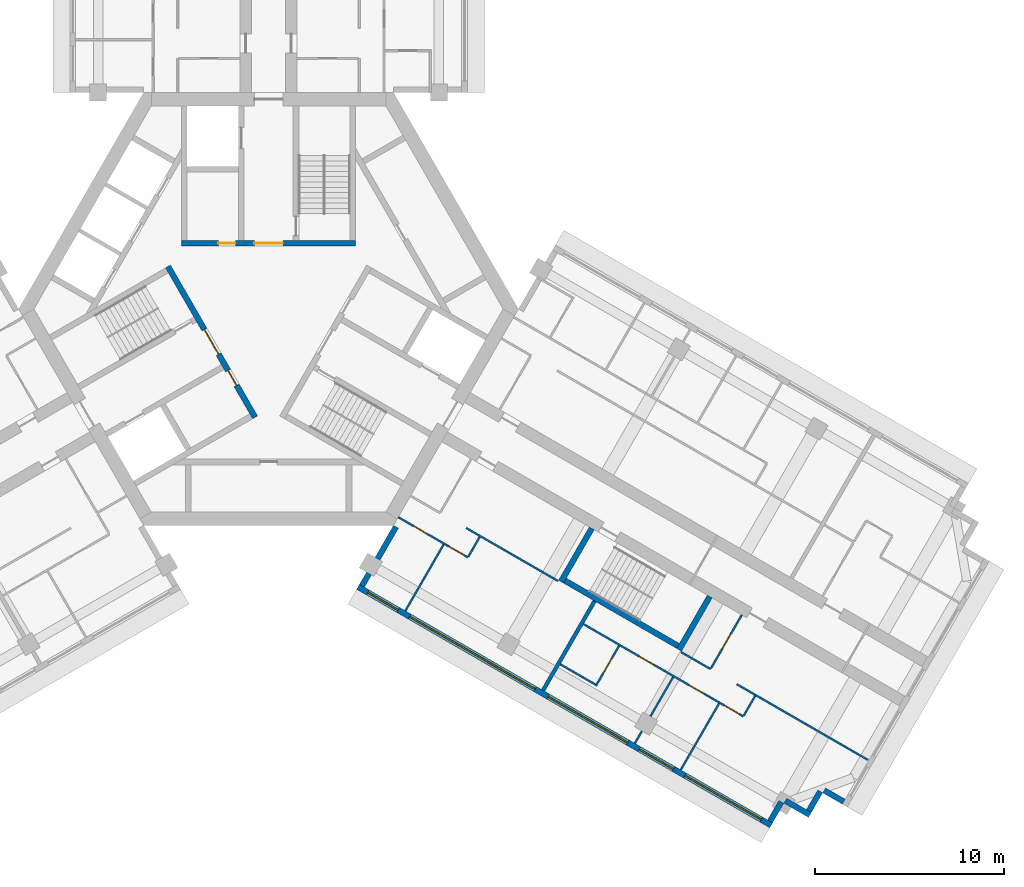
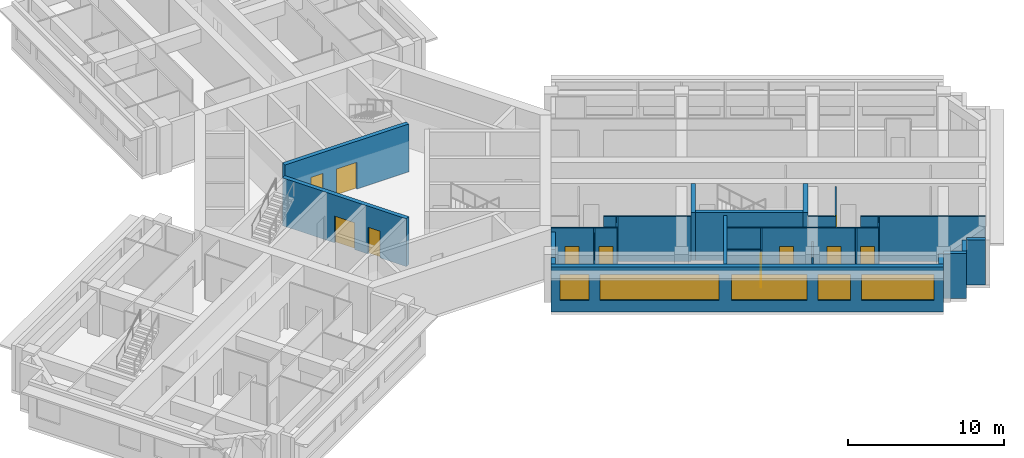
# One storey, part 4 of 10: 27 walls, 11 doors, 5 windows, 16 openings.
"""IFC4 building model written with IfcOpenShell, lengths in metres."""

from ifc_helpers import new_model, si_unit, direction, frame, frame_2d, origin, place, context, subcontext, project, spatial, rectangle, extrude, material, layer, layer_set, type_object, element, fill, save


model = new_model("IFC4")

# Units and contexts
model_context = context("Model", 3, precision=1e-05, world=origin(), true_north=direction((0.0, 1.0)))
body_context = subcontext(model_context, "Body", "Model", "MODEL_VIEW")
ifc_project = project(units=[si_unit("LENGTHUNIT", "METRE"), si_unit("AREAUNIT", "SQUARE_METRE"), si_unit("VOLUMEUNIT", "CUBIC_METRE"), si_unit("PLANEANGLEUNIT", "RADIAN"), si_unit("MASSUNIT", "GRAM", prefix="KILO")], contexts=[model_context])

# Site, building, storey
site_placement = place(None, origin())
site = spatial("IfcSite", under=ifc_project, at=site_placement, CompositionType="ELEMENT")
building_placement = place(site_placement, origin())
building = spatial("IfcBuilding", under=site, at=building_placement, Name="Impinga Residences", CompositionType="ELEMENT")
storey_placement = place(building_placement, frame((0.0, 0.0, 229.75)))
storey = spatial("IfcBuildingStorey", under=building, at=storey_placement, Name="L57", CompositionType="ELEMENT", Elevation=229.75)

# Walls
ifc_material_1 = material(Name="Terracotta rainscreen on blockwork", Category="masonry")
ifc_layer_1 = layer(ifc_material_1, 0.300048828125)
ifc_layer_set_1 = layer_set([ifc_layer_1], Name="EW1 external wall, terracotta rainscreen on blockwork 300")
wall_type_1 = type_object("IfcWallType", Name="EW1 external wall, terracotta rainscreen on blockwork 300", PredefinedType="SOLIDWALL", material=ifc_layer_set_1)
wall_1_placement = place(storey_placement, frame((30.38720703125, -26.031005859375, 0.0), z_axis=(0.0, 0.0, 1.0), x_axis=(-0.866059708757, 0.499940577336, 0.0)))
element("IfcWall", 1, at=wall_1_placement, inside=storey, type_object=wall_type_1, Name="External wall EW1 L57", PredefinedType="SOLIDWALL", context=body_context, shape_type="SweptSolid", body=[
    extrude(rectangle(XDim=1.195068359375, YDim=0.300048828125, at=frame_2d((0.59765625, 0.0))), origin(), (0.0, 0.0, 1.0), 3.530029296875),
])
wall_2_placement = place(storey_placement, frame((29.14306640625, -25.48583984375, 0.0), z_axis=(0.0, 0.0, 1.0), x_axis=(-0.500033551112, -0.866006032174, 0.0)))
element("IfcWall", 2, at=wall_2_placement, inside=storey, type_object=wall_type_1, Name="External wall EW1 L57", PredefinedType="SOLIDWALL", context=body_context, shape_type="SweptSolid", body=[
    extrude(rectangle(XDim=1.2001953125, YDim=0.300048828125, at=frame_2d((0.60009765625, 0.0))), origin(), (0.0, 0.0, 1.0), 3.530029296875),
])
wall_3_placement = place(storey_placement, frame((28.597900390625, -26.72998046875, 0.0), z_axis=(0.0, 0.0, 1.0), x_axis=(-0.866031096941, 0.499990139034, 0.0)))
element("IfcWall", 3, at=wall_3_placement, inside=storey, type_object=wall_type_1, Name="External wall EW1 L57", PredefinedType="SOLIDWALL", context=body_context, shape_type="SweptSolid", body=[
    extrude(rectangle(XDim=1.5, YDim=0.300048828125, at=frame_2d((0.75, 0.0))), origin(), (0.0, 0.0, 1.0), 3.530029296875),
])
wall_4_placement = place(storey_placement, frame((27.091552734375, -26.039306640625, 0.0), z_axis=(0.0, 0.0, 1.0), x_axis=(-0.500093796661, -0.865971243484, 0.0)))
element("IfcWall", 4, at=wall_4_placement, inside=storey, type_object=wall_type_1, Name="External wall EW1 L57", PredefinedType="SOLIDWALL", context=body_context, shape_type="SweptSolid", body=[
    extrude(rectangle(XDim=1.195068359375, YDim=0.300048828125, at=frame_2d((0.59765625, 0.0))), origin(), (0.0, 0.0, 1.0), 3.530029296875),
])

# Wall, openings, windows
wall_5_placement = place(storey_placement, frame((26.548828125, -27.279052734375, 0.0), z_axis=(0.0, 0.0, 1.0), x_axis=(-0.866026832479, 0.499997525421, 0.0)))
wall_5 = element("IfcWall", 5, at=wall_5_placement, inside=storey, type_object=wall_type_1, Name="External wall EW1 L57", PredefinedType="SOLIDWALL", context=body_context, shape_type="SweptSolid", body=[
    extrude(rectangle(XDim=25.199951171875, YDim=0.300048828125, at=frame_2d((12.60009765625, 0.0))), origin(), (0.0, 0.0, 1.0), 3.530029296875),
])
opening_1_placement = place(wall_5_placement, frame((0.60009765625, 0.0, 0.89990234375)))
opening_1 = element("IfcOpeningElement", 6, at=opening_1_placement, cuts=wall_5, Name="Opening W10", PredefinedType="OPENING", context=body_context, shape_type="SweptSolid", body=[
    extrude(rectangle(XDim=4.64990234375, YDim=2.050048828125, at=frame_2d((2.324951171875, 1.02490234375))), frame((0.0, 0.159912109375, 0.0), z_axis=(0.0, -1.0, 0.0), x_axis=(1.0, 0.0, 0.0)), (0.0, 0.0, 1.0), 0.320068359375),
])
opening_2_placement = place(wall_5_placement, frame((5.949951171875, 0.0, 0.89990234375)))
opening_2 = element("IfcOpeningElement", 7, at=opening_2_placement, cuts=wall_5, Name="Opening W9", PredefinedType="OPENING", context=body_context, shape_type="SweptSolid", body=[
    extrude(rectangle(XDim=2.10009765625, YDim=2.050048828125, at=frame_2d((1.050048828125, 1.02490234375))), frame((0.0, 0.159912109375, 0.0), z_axis=(0.0, -1.0, 0.0), x_axis=(1.0, 0.0, 0.0)), (0.0, 0.0, 1.0), 0.320068359375),
])
opening_3_placement = place(wall_5_placement, frame((8.75, 0.0, 0.89990234375)))
opening_3 = element("IfcOpeningElement", 8, at=opening_3_placement, cuts=wall_5, Name="Opening W6", PredefinedType="OPENING", context=body_context, shape_type="SweptSolid", body=[
    extrude(rectangle(XDim=4.85009765625, YDim=2.050048828125, at=frame_2d((2.425048828125, 1.02490234375))), frame((0.0, 0.159912109375, 0.0), z_axis=(0.0, -1.0, 0.0), x_axis=(1.0, 0.0, 0.0)), (0.0, 0.0, 1.0), 0.320068359375),
])
opening_4_placement = place(wall_5_placement, frame((14.39990234375, 0.0, 0.89990234375)))
opening_4 = element("IfcOpeningElement", 9, at=opening_4_placement, cuts=wall_5, Name="Opening W13", PredefinedType="OPENING", context=body_context, shape_type="SweptSolid", body=[
    extrude(rectangle(XDim=7.64990234375, YDim=2.050048828125, at=frame_2d((3.824951171875, 1.02490234375))), frame((0.0, 0.159912109375, 0.0), z_axis=(0.0, -1.0, 0.0), x_axis=(1.0, 0.0, 0.0)), (0.0, 0.0, 1.0), 0.320068359375),
])
opening_5_placement = place(wall_5_placement, frame((22.75, 0.0, 0.89990234375)))
opening_5 = element("IfcOpeningElement", 10, at=opening_5_placement, cuts=wall_5, Name="Opening W15", PredefinedType="OPENING", context=body_context, shape_type="SweptSolid", body=[
    extrude(rectangle(XDim=1.85009765625, YDim=2.050048828125, at=frame_2d((0.925048828125, 1.02490234375))), frame((0.0, 0.159912109375, 0.0), z_axis=(0.0, -1.0, 0.0), x_axis=(1.0, 0.0, 0.0)), (0.0, 0.0, 1.0), 0.320068359375),
])
ifc_material_2 = material(Name="Aluminium window, clear double glazing", Category="aluminium")
window_type_1 = type_object("IfcWindowType", Name="W10 ribbon window 4650x2050", PartitioningType="SINGLE_PANEL", PredefinedType="WINDOW", material=ifc_material_2)
window_1_placement = place(opening_1_placement, origin())
window_1 = element("IfcWindow", 11, at=window_1_placement, inside=storey, type_object=window_type_1, Name="Window L57", OverallHeight=2.050048828125, OverallWidth=4.64990234375, PartitioningType="SINGLE_PANEL", PredefinedType="WINDOW", context=body_context, shape_type="SweptSolid", body=[
    extrude(rectangle(XDim=4.64990234375, YDim=2.050048828125, at=frame_2d((2.324951171875, 1.02490234375))), frame((0.0, 0.030029296875, 0.0), z_axis=(0.0, -1.0, 0.0), x_axis=(1.0, 0.0, 0.0)), (0.0, 0.0, 1.0), 0.06005859375),
])
fill(opening_1, window_1)
window_type_2 = type_object("IfcWindowType", Name="W13 ribbon window 7650x2050", PartitioningType="SINGLE_PANEL", PredefinedType="WINDOW", material=ifc_material_2)
window_2_placement = place(opening_4_placement, origin())
window_2 = element("IfcWindow", 12, at=window_2_placement, inside=storey, type_object=window_type_2, Name="Window L57", OverallHeight=2.050048828125, OverallWidth=7.64990234375, PartitioningType="SINGLE_PANEL", PredefinedType="WINDOW", context=body_context, shape_type="SweptSolid", body=[
    extrude(rectangle(XDim=7.64990234375, YDim=2.050048828125, at=frame_2d((3.824951171875, 1.02490234375))), frame((0.0, 0.030029296875, 0.0), z_axis=(0.0, -1.0, 0.0), x_axis=(1.0, 0.0, 0.0)), (0.0, 0.0, 1.0), 0.06005859375),
])
fill(opening_4, window_2)
window_type_3 = type_object("IfcWindowType", Name="W15 ribbon window 1850x2050", PartitioningType="SINGLE_PANEL", PredefinedType="WINDOW", material=ifc_material_2)
window_3_placement = place(opening_5_placement, origin())
window_3 = element("IfcWindow", 13, at=window_3_placement, inside=storey, type_object=window_type_3, Name="Window L57", OverallHeight=2.050048828125, OverallWidth=1.85009765625, PartitioningType="SINGLE_PANEL", PredefinedType="WINDOW", context=body_context, shape_type="SweptSolid", body=[
    extrude(rectangle(XDim=1.85009765625, YDim=2.050048828125, at=frame_2d((0.925048828125, 1.02490234375))), frame((0.0, 0.030029296875, 0.0), z_axis=(0.0, -1.0, 0.0), x_axis=(1.0, 0.0, 0.0)), (0.0, 0.0, 1.0), 0.06005859375),
])
fill(opening_5, window_3)
window_type_4 = type_object("IfcWindowType", Name="W6 ribbon window 4850x2050", PartitioningType="SINGLE_PANEL", PredefinedType="WINDOW", material=ifc_material_2)
window_4_placement = place(opening_3_placement, origin())
window_4 = element("IfcWindow", 14, at=window_4_placement, inside=storey, type_object=window_type_4, Name="Window L57", OverallHeight=2.050048828125, OverallWidth=4.85009765625, PartitioningType="SINGLE_PANEL", PredefinedType="WINDOW", context=body_context, shape_type="SweptSolid", body=[
    extrude(rectangle(XDim=4.85009765625, YDim=2.050048828125, at=frame_2d((2.425048828125, 1.02490234375))), frame((0.0, 0.030029296875, 0.0), z_axis=(0.0, -1.0, 0.0), x_axis=(1.0, 0.0, 0.0)), (0.0, 0.0, 1.0), 0.06005859375),
])
fill(opening_3, window_4)
window_type_5 = type_object("IfcWindowType", Name="W9 ribbon window 2100x2050", PartitioningType="SINGLE_PANEL", PredefinedType="WINDOW", material=ifc_material_2)
window_5_placement = place(opening_2_placement, origin())
window_5 = element("IfcWindow", 15, at=window_5_placement, inside=storey, type_object=window_type_5, Name="Window L57", OverallHeight=2.050048828125, OverallWidth=2.10009765625, PartitioningType="SINGLE_PANEL", PredefinedType="WINDOW", context=body_context, shape_type="SweptSolid", body=[
    extrude(rectangle(XDim=2.10009765625, YDim=2.050048828125, at=frame_2d((1.050048828125, 1.02490234375))), frame((0.0, 0.030029296875, 0.0), z_axis=(0.0, -1.0, 0.0), x_axis=(1.0, 0.0, 0.0)), (0.0, 0.0, 1.0), 0.06005859375),
])
fill(opening_2, window_5)

# Walls
wall_6_placement = place(storey_placement, frame((4.929931640625, -14.624267578125, 0.0), z_axis=(0.0, 0.0, 1.0), x_axis=(0.499919672301, 0.866071776036, 0.0)))
element("IfcWall", 16, at=wall_6_placement, inside=storey, type_object=wall_type_1, Name="External wall EW1 L57", PredefinedType="SOLIDWALL", context=body_context, shape_type="SweptSolid", body=[
    extrude(rectangle(XDim=0.75, YDim=0.300048828125, at=frame_2d((0.375, 0.0))), origin(), (0.0, 0.0, 1.0), 3.530029296875),
])
wall_7_placement = place(storey_placement, frame((5.7548828125, -13.1953125, 0.0), z_axis=(0.0, 0.0, 1.0), x_axis=(0.500043961785, 0.866000020948, 0.0)))
element("IfcWall", 17, at=wall_7_placement, inside=storey, type_object=wall_type_1, Name="External wall EW1 L57", PredefinedType="SOLIDWALL", context=body_context, shape_type="SweptSolid", body=[
    extrude(rectangle(XDim=1.949951171875, YDim=0.300048828125, at=frame_2d((0.97509765625, 0.0))), origin(), (0.0, 0.0, 1.0), 3.530029296875),
])
ifc_material_3 = material(Name="Gypsum board on steel studs", Category="steel")
ifc_layer_2 = layer(ifc_material_3, 0.10009765625)
ifc_layer_set_2 = layer_set([ifc_layer_2], Name="Gypsum board on steel studs")
wall_type_2 = type_object("IfcWallType", Name="IP1 partition 100", PredefinedType="PARTITIONING", material=ifc_layer_set_2)
wall_8_placement = place(storey_placement, frame((10.444580078125, -11.57275390625, 0.0), z_axis=(0.0, 0.0, 1.0), x_axis=(0.866015695474, -0.500016814911, 0.0)))
element("IfcWall", 18, at=wall_8_placement, inside=storey, type_object=wall_type_2, Name="Partition L57-EF1:DIV1", PredefinedType="PARTITIONING", context=body_context, shape_type="SweptSolid", body=[
    extrude(rectangle(XDim=5.599853515625, YDim=0.10009765625, at=frame_2d((2.7998046875, 0.0))), origin(), (0.0, 0.0, 1.0), 3.530029296875),
])

# Wall, openings, doors
wall_9_placement = place(storey_placement, frame((6.85009765625, -10.99853515625, 0.0), z_axis=(0.0, 0.0, 1.0), x_axis=(0.866014341725, -0.50001915956, 0.0)))
wall_9 = element("IfcWall", 19, at=wall_9_placement, inside=storey, type_object=wall_type_2, Name="Partition L57-EF1:STRIP", PredefinedType="PARTITIONING", context=body_context, shape_type="SweptSolid", body=[
    extrude(rectangle(XDim=4.249755859375, YDim=0.10009765625, at=frame_2d((2.125, 0.0))), origin(), (0.0, 0.0, 1.0), 3.530029296875),
])
opening_6_placement = place(wall_9_placement, frame((0.925048828125, 0.0, 0.0)))
opening_6 = element("IfcOpeningElement", 20, at=opening_6_placement, cuts=wall_9, Name="Opening D2", PredefinedType="OPENING", context=body_context, shape_type="SweptSolid", body=[
    extrude(rectangle(XDim=0.89990234375, YDim=2.10009765625, at=frame_2d((0.449951171875, 1.050048828125))), frame((0.0, 0.06005859375, 0.0), z_axis=(0.0, -1.0, 0.0), x_axis=(1.0, 0.0, 0.0)), (0.0, 0.0, 1.0), 0.1201171875),
])
opening_7_placement = place(wall_9_placement, frame((3.10009765625, 0.0, 0.0)))
opening_7 = element("IfcOpeningElement", 21, at=opening_7_placement, cuts=wall_9, Name="Opening D2", PredefinedType="OPENING", context=body_context, shape_type="SweptSolid", body=[
    extrude(rectangle(XDim=0.89990234375, YDim=2.10009765625, at=frame_2d((0.449951171875, 1.050048828125))), frame((0.0, 0.06005859375, 0.0), z_axis=(0.0, -1.0, 0.0), x_axis=(1.0, 0.0, 0.0)), (0.0, 0.0, 1.0), 0.1201171875),
])
ifc_material_4 = material(Name="Timber door set", Category="wood")
door_type_1 = type_object("IfcDoorType", Name="D2 internal door 900x2100", OperationType="SINGLE_SWING_LEFT", PredefinedType="DOOR", material=ifc_material_4)
door_1_placement = place(opening_6_placement, origin())
door_1 = element("IfcDoor", 22, at=door_1_placement, inside=storey, type_object=door_type_1, Name="Apartment L57-EF1 room door", OperationType="SINGLE_SWING_LEFT", OverallHeight=2.10009765625, OverallWidth=0.89990234375, PredefinedType="DOOR", context=body_context, shape_type="SweptSolid", body=[
    extrude(rectangle(XDim=0.89990234375, YDim=2.10009765625, at=frame_2d((0.449951171875, 1.050048828125))), frame((0.0, 0.02490234375, 0.0), z_axis=(0.0, -1.0, 0.0), x_axis=(1.0, 0.0, 0.0)), (0.0, 0.0, 1.0), 0.050048828125),
])
fill(opening_6, door_1)
door_2_placement = place(opening_7_placement, origin())
door_2 = element("IfcDoor", 23, at=door_2_placement, inside=storey, type_object=door_type_1, Name="Apartment L57-EF1 room door", OperationType="SINGLE_SWING_RIGHT", OverallHeight=2.10009765625, OverallWidth=0.89990234375, PredefinedType="DOOR", context=body_context, shape_type="SweptSolid", body=[
    extrude(rectangle(XDim=0.89990234375, YDim=2.10009765625, at=frame_2d((0.449951171875, 1.050048828125))), frame((0.0, 0.02490234375, 0.0), z_axis=(0.0, -1.0, 0.0), x_axis=(1.0, 0.0, 0.0)), (0.0, 0.0, 1.0), 0.050048828125),
])
fill(opening_7, door_2)

# Walls
wall_10_placement = place(storey_placement, frame((11.155517578125, -12.041015625, 0.0), z_axis=(0.0, 0.0, 1.0), x_axis=(-0.499880961361, -0.866094119867, 0.0)))
element("IfcWall", 24, at=wall_10_placement, inside=storey, type_object=wall_type_2, Name="Partition L57-EF1:SE1", PredefinedType="PARTITIONING", context=body_context, shape_type="SweptSolid", body=[
    extrude(rectangle(XDim=1.199951171875, YDim=0.10009765625, at=frame_2d((0.60009765625, 0.0))), origin(), (0.0, 0.0, 1.0), 3.530029296875),
])
wall_11_placement = place(storey_placement, frame((9.249755859375, -12.44189453125, 0.0), z_axis=(0.0, 0.0, 1.0), x_axis=(-0.499990325971, -0.866030989016, 0.0)))
element("IfcWall", 25, at=wall_11_placement, inside=storey, type_object=wall_type_2, Name="Partition L57-EF1:OB1", PredefinedType="PARTITIONING", context=body_context, shape_type="SweptSolid", body=[
    extrude(rectangle(XDim=4.0498046875, YDim=0.10009765625, at=frame_2d((2.02490234375, 0.0))), origin(), (0.0, 0.0, 1.0), 3.530029296875),
])
wall_12_placement = place(storey_placement, frame((21.789306640625, -18.122802734375, 0.0), z_axis=(0.0, 0.0, 1.0), x_axis=(0.866047807691, -0.499961193289, 0.0)))
element("IfcWall", 26, at=wall_12_placement, inside=storey, type_object=wall_type_2, Name="Partition L57-EF2:DIV0", PredefinedType="PARTITIONING", context=body_context, shape_type="SweptSolid", body=[
    extrude(rectangle(XDim=1.800048828125, YDim=0.10009765625, at=frame_2d((0.89990234375, 0.0))), origin(), (0.0, 0.0, 1.0), 3.530029296875),
])
wall_13_placement = place(storey_placement, frame((24.73388671875, -19.82275390625, 0.0), z_axis=(0.0, 0.0, 1.0), x_axis=(0.866026010844, -0.49999894854, 0.0)))
element("IfcWall", 27, at=wall_13_placement, inside=storey, type_object=wall_type_2, Name="Partition L57-EF2:DIV1", PredefinedType="PARTITIONING", context=body_context, shape_type="SweptSolid", body=[
    extrude(rectangle(XDim=8.0, YDim=0.10009765625, at=frame_2d((4.0, 0.0))), origin(), (0.0, 0.0, 1.0), 3.530029296875),
])

# Wall, openings, doors
wall_14_placement = place(storey_placement, frame((16.635986328125, -16.6484375, 0.0), z_axis=(0.0, 0.0, 1.0), x_axis=(0.866027967067, -0.499995560238, 0.0)))
wall_14 = element("IfcWall", 28, at=wall_14_placement, inside=storey, type_object=wall_type_2, Name="Partition L57-EF2:STRIP", PredefinedType="PARTITIONING", context=body_context, shape_type="SweptSolid", body=[
    extrude(rectangle(XDim=9.75, YDim=0.10009765625, at=frame_2d((4.875, 0.0))), origin(), (0.0, 0.0, 1.0), 3.530029296875),
])
opening_8_placement = place(wall_14_placement, frame((3.39990234375, 0.0, 0.0)))
opening_8 = element("IfcOpeningElement", 29, at=opening_8_placement, cuts=wall_14, Name="Opening D2", PredefinedType="OPENING", context=body_context, shape_type="SweptSolid", body=[
    extrude(rectangle(XDim=0.89990234375, YDim=2.10009765625, at=frame_2d((0.449951171875, 1.050048828125))), frame((0.0, 0.06005859375, 0.0), z_axis=(0.0, -1.0, 0.0), x_axis=(1.0, 0.0, 0.0)), (0.0, 0.0, 1.0), 0.1201171875),
])
opening_9_placement = place(wall_14_placement, frame((6.449951171875, 0.0, 0.0)))
opening_9 = element("IfcOpeningElement", 30, at=opening_9_placement, cuts=wall_14, Name="Opening D2", PredefinedType="OPENING", context=body_context, shape_type="SweptSolid", body=[
    extrude(rectangle(XDim=0.89990234375, YDim=2.10009765625, at=frame_2d((0.449951171875, 1.050048828125))), frame((0.0, 0.06005859375, 0.0), z_axis=(0.0, -1.0, 0.0), x_axis=(1.0, 0.0, 0.0)), (0.0, 0.0, 1.0), 0.1201171875),
])
opening_10_placement = place(wall_14_placement, frame((8.60009765625, 0.0, 0.0)))
opening_10 = element("IfcOpeningElement", 31, at=opening_10_placement, cuts=wall_14, Name="Opening D2", PredefinedType="OPENING", context=body_context, shape_type="SweptSolid", body=[
    extrude(rectangle(XDim=0.89990234375, YDim=2.10009765625, at=frame_2d((0.449951171875, 1.050048828125))), frame((0.0, 0.06005859375, 0.0), z_axis=(0.0, -1.0, 0.0), x_axis=(1.0, 0.0, 0.0)), (0.0, 0.0, 1.0), 0.1201171875),
])
door_3_placement = place(opening_8_placement, origin())
door_3 = element("IfcDoor", 32, at=door_3_placement, inside=storey, type_object=door_type_1, Name="Apartment L57-EF2 room door", OperationType="SINGLE_SWING_LEFT", OverallHeight=2.10009765625, OverallWidth=0.89990234375, PredefinedType="DOOR", context=body_context, shape_type="SweptSolid", body=[
    extrude(rectangle(XDim=0.89990234375, YDim=2.10009765625, at=frame_2d((0.449951171875, 1.050048828125))), frame((0.0, 0.02490234375, 0.0), z_axis=(0.0, -1.0, 0.0), x_axis=(1.0, 0.0, 0.0)), (0.0, 0.0, 1.0), 0.050048828125),
])
fill(opening_8, door_3)
door_4_placement = place(opening_9_placement, origin())
door_4 = element("IfcDoor", 33, at=door_4_placement, inside=storey, type_object=door_type_1, Name="Apartment L57-EF2 room door", OperationType="SINGLE_SWING_RIGHT", OverallHeight=2.10009765625, OverallWidth=0.89990234375, PredefinedType="DOOR", context=body_context, shape_type="SweptSolid", body=[
    extrude(rectangle(XDim=0.89990234375, YDim=2.10009765625, at=frame_2d((0.449951171875, 1.050048828125))), frame((0.0, 0.02490234375, 0.0), z_axis=(0.0, -1.0, 0.0), x_axis=(1.0, 0.0, 0.0)), (0.0, 0.0, 1.0), 0.050048828125),
])
fill(opening_9, door_4)
door_5_placement = place(opening_10_placement, origin())
door_5 = element("IfcDoor", 34, at=door_5_placement, inside=storey, type_object=door_type_1, Name="Apartment L57-EF2 room door", OperationType="SINGLE_SWING_RIGHT", OverallHeight=2.10009765625, OverallWidth=0.89990234375, PredefinedType="DOOR", context=body_context, shape_type="SweptSolid", body=[
    extrude(rectangle(XDim=0.89990234375, YDim=2.10009765625, at=frame_2d((0.449951171875, 1.050048828125))), frame((0.0, 0.02490234375, 0.0), z_axis=(0.0, -1.0, 0.0), x_axis=(1.0, 0.0, 0.0)), (0.0, 0.0, 1.0), 0.050048828125),
])
fill(opening_10, door_5)

# Wall
wall_15_placement = place(storey_placement, frame((25.704833984375, -20.44091796875, 0.0), z_axis=(0.0, 0.0, 1.0), x_axis=(-0.500033551112, -0.866006032174, 0.0)))
element("IfcWall", 35, at=wall_15_placement, inside=storey, type_object=wall_type_2, Name="Partition L57-EF2:SE1", PredefinedType="PARTITIONING", context=body_context, shape_type="SweptSolid", body=[
    extrude(rectangle(XDim=1.2001953125, YDim=0.10009765625, at=frame_2d((0.60009765625, 0.0))), origin(), (0.0, 0.0, 1.0), 3.530029296875),
])

# Wall, opening, door
wall_16_placement = place(storey_placement, frame((24.998291015625, -16.164794921875, 0.0), z_axis=(0.0, 0.0, 1.0), x_axis=(-0.499984717929, -0.866034226713, 0.0)))
wall_16 = element("IfcWall", 36, at=wall_16_placement, inside=storey, type_object=wall_type_2, Name="Partition L57-EF2:IB1", PredefinedType="PARTITIONING", context=body_context, shape_type="SweptSolid", body=[
    extrude(rectangle(XDim=3.25, YDim=0.10009765625, at=frame_2d((1.625, 0.0))), origin(), (0.0, 0.0, 1.0), 3.530029296875),
])
opening_11_placement = place(wall_16_placement, frame((1.175048828125, 0.0, 0.0)))
opening_11 = element("IfcOpeningElement", 37, at=opening_11_placement, cuts=wall_16, Name="Opening D2", PredefinedType="OPENING", context=body_context, shape_type="SweptSolid", body=[
    extrude(rectangle(XDim=0.89990234375, YDim=2.10009765625, at=frame_2d((0.449951171875, 1.050048828125))), frame((0.0, 0.06005859375, 0.0), z_axis=(0.0, -1.0, 0.0), x_axis=(1.0, 0.0, 0.0)), (0.0, 0.0, 1.0), 0.1201171875),
])
door_6_placement = place(opening_11_placement, origin())
door_6 = element("IfcDoor", 38, at=door_6_placement, inside=storey, type_object=door_type_1, Name="Apartment L57-EF2 bathroom door", OperationType="SINGLE_SWING_LEFT", OverallHeight=2.10009765625, OverallWidth=0.89990234375, PredefinedType="DOOR", context=body_context, shape_type="SweptSolid", body=[
    extrude(rectangle(XDim=0.89990234375, YDim=2.10009765625, at=frame_2d((0.449951171875, 1.050048828125))), frame((0.0, 0.02490234375, 0.0), z_axis=(0.0, -1.0, 0.0), x_axis=(1.0, 0.0, 0.0)), (0.0, 0.0, 1.0), 0.050048828125),
])
fill(opening_11, door_6)

# Walls
wall_17_placement = place(storey_placement, frame((21.374267578125, -19.44189453125, 0.0), z_axis=(0.0, 0.0, 1.0), x_axis=(-0.500001309137, -0.866024647952, 0.0)))
element("IfcWall", 39, at=wall_17_placement, inside=storey, type_object=wall_type_2, Name="Partition L57-EF2:OB1", PredefinedType="PARTITIONING", context=body_context, shape_type="SweptSolid", body=[
    extrude(rectangle(XDim=2.39990234375, YDim=0.10009765625, at=frame_2d((1.199951171875, 0.0))), origin(), (0.0, 0.0, 1.0), 2.47998046875),
])
wall_18_placement = place(storey_placement, frame((19.72412109375, -22.2998046875, 0.0), z_axis=(0.0, 0.0, 1.0), x_axis=(-0.500060622324, -0.86599040064, 0.0)))
element("IfcWall", 40, at=wall_18_placement, inside=storey, type_object=wall_type_2, Name="Partition L57-EF2:OB1b", PredefinedType="PARTITIONING", context=body_context, shape_type="SweptSolid", body=[
    extrude(rectangle(XDim=0.75, YDim=0.10009765625, at=frame_2d((0.375, 0.0))), origin(), (0.0, 0.0, 1.0), 3.530029296875),
])
wall_19_placement = place(storey_placement, frame((23.799072265625, -20.841796875, 0.0), z_axis=(0.0, 0.0, 1.0), x_axis=(-0.499990325971, -0.866030989016, 0.0)))
element("IfcWall", 41, at=wall_19_placement, inside=storey, type_object=wall_type_2, Name="Partition L57-EF2:OB2", PredefinedType="PARTITIONING", context=body_context, shape_type="SweptSolid", body=[
    extrude(rectangle(XDim=4.0498046875, YDim=0.10009765625, at=frame_2d((2.02490234375, 0.0))), origin(), (0.0, 0.0, 1.0), 3.530029296875),
])

# Wall, opening, door
wall_20_placement = place(storey_placement, frame((18.516357421875, -17.791748046875, 0.0), z_axis=(0.0, 0.0, 1.0), x_axis=(-0.500018594424, -0.866014668023, 0.0)))
wall_20 = element("IfcWall", 42, at=wall_20_placement, inside=storey, type_object=wall_type_2, Name="Partition L57-EF2:EN1", PredefinedType="PARTITIONING", context=body_context, shape_type="SweptSolid", body=[
    extrude(rectangle(XDim=2.4501953125, YDim=0.10009765625, at=frame_2d((1.22509765625, 0.0))), origin(), (0.0, 0.0, 1.0), 3.530029296875),
])
opening_12_placement = place(wall_20_placement, frame((0.75, 0.0, 0.0)))
opening_12 = element("IfcOpeningElement", 43, at=opening_12_placement, cuts=wall_20, Name="Opening D2", PredefinedType="OPENING", context=body_context, shape_type="SweptSolid", body=[
    extrude(rectangle(XDim=0.89990234375, YDim=2.10009765625, at=frame_2d((0.449951171875, 1.050048828125))), frame((0.0, 0.06005859375, 0.0), z_axis=(0.0, -1.0, 0.0), x_axis=(1.0, 0.0, 0.0)), (0.0, 0.0, 1.0), 0.1201171875),
])
door_7_placement = place(opening_12_placement, origin())
door_7 = element("IfcDoor", 44, at=door_7_placement, inside=storey, type_object=door_type_1, Name="Apartment L57-EF2 en-suite door", OperationType="SINGLE_SWING_LEFT", OverallHeight=2.10009765625, OverallWidth=0.89990234375, PredefinedType="DOOR", context=body_context, shape_type="SweptSolid", body=[
    extrude(rectangle(XDim=0.89990234375, YDim=2.10009765625, at=frame_2d((0.449951171875, 1.050048828125))), frame((0.0, 0.02490234375, 0.0), z_axis=(0.0, -1.0, 0.0), x_axis=(1.0, 0.0, 0.0)), (0.0, 0.0, 1.0), 0.050048828125),
])
fill(opening_12, door_7)

# Walls
wall_21_placement = place(storey_placement, frame((15.4111328125, -18.770263671875, 0.0), z_axis=(0.0, 0.0, 1.0), x_axis=(0.866019166195, -0.500010803666, 0.0)))
element("IfcWall", 45, at=wall_21_placement, inside=storey, type_object=wall_type_2, Name="Partition L57-EF2:EN2", PredefinedType="PARTITIONING", context=body_context, shape_type="SweptSolid", body=[
    extrude(rectangle(XDim=2.14990234375, YDim=0.10009765625, at=frame_2d((1.074951171875, 0.0))), origin(), (0.0, 0.0, 1.0), 3.530029296875),
])
ifc_material_5 = material(Name="Concrete blockwork", Category="masonry")
ifc_layer_3 = layer(ifc_material_5, 0.199951171875)
ifc_layer_set_3 = layer_set([ifc_layer_3], Name="PW1 party wall between apartments 200")
wall_type_3 = type_object("IfcWallType", Name="PW1 party wall between apartments 200", PredefinedType="SOLIDWALL", material=ifc_layer_set_3)
wall_22_placement = place(storey_placement, frame((17.224365234375, -15.429443359375, 0.0), z_axis=(0.0, 0.0, 1.0), x_axis=(-0.499988730927, -0.866031909889, 0.0)))
element("IfcWall", 46, at=wall_22_placement, inside=storey, type_object=wall_type_3, Name="Party wall between apartments L57-EF1:PARTY", PredefinedType="SOLIDWALL", context=body_context, shape_type="SweptSolid", body=[
    extrude(rectangle(XDim=5.449951171875, YDim=0.199951171875, at=frame_2d((2.72509765625, 0.0))), origin(), (0.0, 0.0, 1.0), 3.530029296875),
])
ifc_material_6 = material(Name="Concrete C60/75", Category="concrete")
ifc_layer_4 = layer(ifc_material_6, 0.300048828125)
ifc_layer_set_4 = layer_set([ifc_layer_4], Name="Concrete C60/75")
wall_type_4 = type_object("IfcWallType", Name="SE1 wing stair enclosure wall 300", PredefinedType="SOLIDWALL", material=ifc_layer_set_4)
for number, where, z_axis, x_axis, name in (
    (47, (17.07421875, -11.58984375, 0.0), (0.0, 0.0, 1.0), (-0.500017246033, -0.866015446554, 0.0), "Stair enclosure wall SE1 E END0 L57"),
    (48, (23.3095703125, -15.189697265625, 0.0), (0.0, 0.0, 1.0), (-0.499984717929, -0.866034226713, 0.0), "Stair enclosure wall SE1 E END1 L57"),
):
    element("IfcWall", number, at=place(storey_placement, frame(where, z_axis=z_axis, x_axis=x_axis)), inside=storey, type_object=wall_type_4, Name=name, PredefinedType="SOLIDWALL", context=body_context, shape_type="SweptSolid", body=[
        extrude(rectangle(XDim=3.25, YDim=0.300048828125, at=frame_2d((1.625, 0.0))), origin(), (0.0, 0.0, 1.0), 3.75),
    ])
wall_23_placement = place(storey_placement, frame((15.654052734375, -14.349365234375, 0.0), z_axis=(0.0, 0.0, 1.0), x_axis=(0.866013532718, -0.500020560727, 0.0)))
element("IfcWall", 49, at=wall_23_placement, inside=storey, type_object=wall_type_4, Name="Stair enclosure wall SE1 E OUT L57", PredefinedType="SOLIDWALL", context=body_context, shape_type="SweptSolid", body=[
    extrude(rectangle(XDim=6.900146484375, YDim=0.300048828125, at=frame_2d((3.4501953125, 0.0))), origin(), (0.0, 0.0, 1.0), 3.75),
])

# Wall, openings, doors
ifc_material_7 = material(Name="Concrete C70/85", Category="concrete")
ifc_layer_5 = layer(ifc_material_7, 0.300048828125)
ifc_layer_set_5 = layer_set([ifc_layer_5], Name="Concrete C70/85")
wall_type_5 = type_object("IfcWallType", Name="SW5 core inner wall, stairs, shafts and lobbies 300", PredefinedType="SHEAR", material=ifc_layer_set_5)
wall_24_placement = place(storey_placement, frame((-4.60009765625, 3.47998046875, 0.0), z_axis=(0.0, 0.0, 1.0), x_axis=(1.0, 0.0, 0.0)))
wall_24 = element("IfcWall", 50, at=wall_24_placement, inside=storey, type_object=wall_type_5, Name="Core wall SW5 N:ZONE L57", PredefinedType="SHEAR", context=body_context, shape_type="SweptSolid", body=[
    extrude(rectangle(XDim=9.2001953125, YDim=0.300048828125, at=frame_2d((4.60009765625, 0.0))), origin(), (0.0, 0.0, 1.0), 3.75),
])
opening_13_placement = place(wall_24_placement, frame((3.85009765625, 0.0, 0.0)))
opening_13 = element("IfcOpeningElement", 51, at=opening_13_placement, cuts=wall_24, Name="Opening D4", PredefinedType="OPENING", context=body_context, shape_type="SweptSolid", body=[
    extrude(rectangle(XDim=1.5, YDim=2.10009765625, at=frame_2d((0.75, 1.050048828125))), frame((0.0, 0.159912109375, 0.0), z_axis=(0.0, -1.0, 0.0), x_axis=(1.0, 0.0, 0.0)), (0.0, 0.0, 1.0), 0.320068359375),
])
opening_14_placement = place(wall_24_placement, frame((1.949951171875, 0.0, 0.0)))
opening_14 = element("IfcOpeningElement", 52, at=opening_14_placement, cuts=wall_24, Name="Opening D6", PredefinedType="OPENING", context=body_context, shape_type="SweptSolid", body=[
    extrude(rectangle(XDim=0.89990234375, YDim=2.10009765625, at=frame_2d((0.449951171875, 1.050048828125))), frame((0.0, 0.159912109375, 0.0), z_axis=(0.0, -1.0, 0.0), x_axis=(1.0, 0.0, 0.0)), (0.0, 0.0, 1.0), 0.320068359375),
])
door_type_2 = type_object("IfcDoorType", Name="D4 lobby door pair 1500x2100", OperationType="DOUBLE_DOOR_DOUBLE_SWING", PredefinedType="DOOR", material=ifc_material_4)
door_8_placement = place(opening_13_placement, origin())
door_8 = element("IfcDoor", 53, at=door_8_placement, inside=storey, type_object=door_type_2, Name="Firefighting lobby door N", OperationType="DOUBLE_DOOR_DOUBLE_SWING", OverallHeight=2.10009765625, OverallWidth=1.5, PredefinedType="DOOR", context=body_context, shape_type="SweptSolid", body=[
    extrude(rectangle(XDim=1.5, YDim=2.10009765625, at=frame_2d((0.75, 1.050048828125))), frame((0.0, 0.02490234375, 0.0), z_axis=(0.0, -1.0, 0.0), x_axis=(1.0, 0.0, 0.0)), (0.0, 0.0, 1.0), 0.050048828125),
])
fill(opening_13, door_8)
door_type_3 = type_object("IfcDoorType", Name="D6 riser and store door 900x2100", OperationType="SINGLE_SWING_LEFT", PredefinedType="DOOR", material=ifc_material_4)
door_9_placement = place(opening_14_placement, origin())
door_9 = element("IfcDoor", 54, at=door_9_placement, inside=storey, type_object=door_type_3, Name="Riser door N", OperationType="SINGLE_SWING_LEFT", OverallHeight=2.10009765625, OverallWidth=0.89990234375, PredefinedType="DOOR", context=body_context, shape_type="SweptSolid", body=[
    extrude(rectangle(XDim=0.89990234375, YDim=2.10009765625, at=frame_2d((0.449951171875, 1.050048828125))), frame((0.0, 0.02490234375, 0.0), z_axis=(0.0, -1.0, 0.0), x_axis=(1.0, 0.0, 0.0)), (0.0, 0.0, 1.0), 0.050048828125),
])
fill(opening_14, door_9)

wall_25_placement = place(storey_placement, frame((-0.7138671875, -5.7236328125, 0.0), z_axis=(0.0, 0.0, 1.0), x_axis=(-0.499995050369, 0.866028261437, 0.0)))
wall_25 = element("IfcWall", 55, at=wall_25_placement, inside=storey, type_object=wall_type_5, Name="Core wall SW5 W:ZONE L57", PredefinedType="SHEAR", context=body_context, shape_type="SweptSolid", body=[
    extrude(rectangle(XDim=9.19970703125, YDim=0.300048828125, at=frame_2d((4.599853515625, 0.0))), origin(), (0.0, 0.0, 1.0), 3.75),
])
opening_15_placement = place(wall_25_placement, frame((3.85009765625, 0.0, 0.0)))
opening_15 = element("IfcOpeningElement", 56, at=opening_15_placement, cuts=wall_25, Name="Opening D4", PredefinedType="OPENING", context=body_context, shape_type="SweptSolid", body=[
    extrude(rectangle(XDim=1.5, YDim=2.10009765625, at=frame_2d((0.75, 1.050048828125))), frame((0.0, 0.159912109375, 0.0), z_axis=(0.0, -1.0, 0.0), x_axis=(1.0, 0.0, 0.0)), (0.0, 0.0, 1.0), 0.320068359375),
])
opening_16_placement = place(wall_25_placement, frame((1.949951171875, 0.0, 0.0)))
opening_16 = element("IfcOpeningElement", 57, at=opening_16_placement, cuts=wall_25, Name="Opening D6", PredefinedType="OPENING", context=body_context, shape_type="SweptSolid", body=[
    extrude(rectangle(XDim=0.89990234375, YDim=2.10009765625, at=frame_2d((0.449951171875, 1.050048828125))), frame((0.0, 0.159912109375, 0.0), z_axis=(0.0, -1.0, 0.0), x_axis=(1.0, 0.0, 0.0)), (0.0, 0.0, 1.0), 0.320068359375),
])
door_10_placement = place(opening_15_placement, origin())
door_10 = element("IfcDoor", 58, at=door_10_placement, inside=storey, type_object=door_type_2, Name="Firefighting lobby door W", OperationType="DOUBLE_DOOR_DOUBLE_SWING", OverallHeight=2.10009765625, OverallWidth=1.5, PredefinedType="DOOR", context=body_context, shape_type="SweptSolid", body=[
    extrude(rectangle(XDim=1.5, YDim=2.10009765625, at=frame_2d((0.75, 1.050048828125))), frame((0.0, 0.02490234375, 0.0), z_axis=(0.0, -1.0, 0.0), x_axis=(1.0, 0.0, 0.0)), (0.0, 0.0, 1.0), 0.050048828125),
])
fill(opening_15, door_10)
door_11_placement = place(opening_16_placement, origin())
door_11 = element("IfcDoor", 59, at=door_11_placement, inside=storey, type_object=door_type_3, Name="Riser door W", OperationType="SINGLE_SWING_LEFT", OverallHeight=2.10009765625, OverallWidth=0.89990234375, PredefinedType="DOOR", context=body_context, shape_type="SweptSolid", body=[
    extrude(rectangle(XDim=0.89990234375, YDim=2.10009765625, at=frame_2d((0.449951171875, 1.050048828125))), frame((0.0, 0.02490234375, 0.0), z_axis=(0.0, -1.0, 0.0), x_axis=(1.0, 0.0, 0.0)), (0.0, 0.0, 1.0), 0.050048828125),
])
fill(opening_16, door_11)

save(model, "model.ifc")
